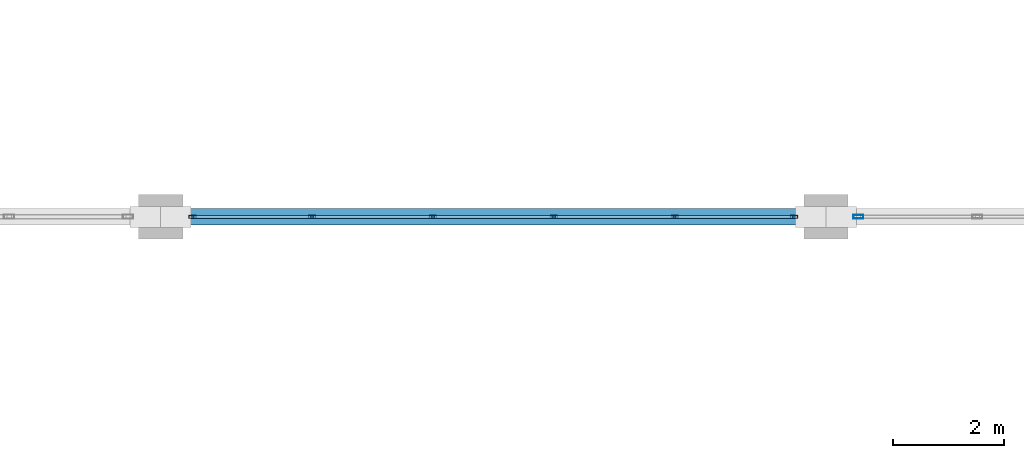
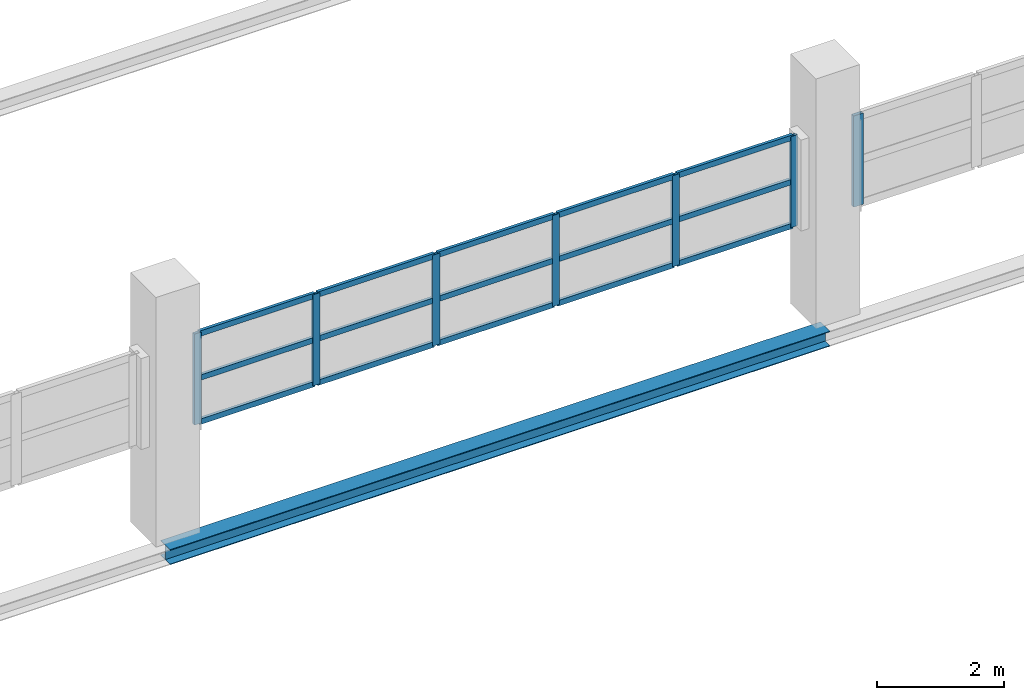
# One storey, part 53 of 86: 22 members, 1 beam, 2 elements without a shape of their own.
"""IFC4 building model written with IfcOpenShell, lengths in metres."""

from ifc_helpers import new_model, si_unit, direction, frame, origin, origin_2d, place, context, subcontext, project, spatial, hollow_rectangle, i_section, extrude, material, layer, layer_set, material_profile, profile_set, type_object, element, aggregate, save


model = new_model("IFC4")

# Units and contexts
model_context = context("Model", 3, precision=1e-05, world=origin(), true_north=direction((0.0, 1.0)))
body_context = subcontext(model_context, "Body", "Model", "MODEL_VIEW")
ifc_project = project(units=[si_unit("LENGTHUNIT", "METRE"), si_unit("AREAUNIT", "SQUARE_METRE"), si_unit("VOLUMEUNIT", "CUBIC_METRE"), si_unit("PLANEANGLEUNIT", "RADIAN"), si_unit("MASSUNIT", "GRAM", prefix="KILO")], contexts=[model_context])

# Site, building, storey
site_placement = place(None, origin())
site = spatial("IfcSite", under=ifc_project, at=site_placement, CompositionType="ELEMENT")
building_placement = place(site_placement, origin())
building = spatial("IfcBuilding", under=site, at=building_placement, Name="Zilviju Railside Exhibition Hall", CompositionType="ELEMENT")
storey_placement = place(building_placement, frame((0.0, 0.0, 12.60009765625)))
storey = spatial("IfcBuildingStorey", under=building, at=storey_placement, Name="L04", CompositionType="ELEMENT", Elevation=12.60009765625)

# Beam
ifc_material_1 = material(Name="Steel S355J2", Category="steel")
ifc_material_profile_1 = material_profile(ifc_material_1, i_section(OverallWidth=0.300048828125, OverallDepth=0.2900390625, WebThickness=0.008544921875, FlangeThickness=0.013916015625, at=origin_2d()), Name="HEA 300")
ifc_profile_set_1 = profile_set([ifc_material_profile_1], Name="Steel S355J2")
beam_type = type_object("IfcBeamType", Name="BM-HEA300", PredefinedType="SPANDREL", material=ifc_profile_set_1)
beam_placement = place(storey_placement, frame((96.0, 138.0, -0.485107421875), z_axis=(1.0, 0.0, 0.0), x_axis=(0.0, 1.0, 0.0)))
element("IfcBeam", 1, at=beam_placement, inside=storey, type_object=beam_type, Name="Primary Girder L04 Y=138.0 (96.0..108.0)", PredefinedType="SPANDREL", context=body_context, shape_type="SweptSolid", body=[
    extrude(i_section(OverallWidth=0.300048828125, OverallDepth=0.2900390625, WebThickness=0.008544921875, FlangeThickness=0.013916015625, at=origin_2d()), origin(), (0.0, 0.0, 1.0), 12.0),
])

# Curtain wall, members
ifc_material_2 = material(Name="Thermally broken aluminium-steel triple-glazed curtain wall", Category="steel")
ifc_layer_1 = layer(ifc_material_2, 0.179931640625)
ifc_layer_set_1 = layer_set([ifc_layer_1], Name="Thermally broken aluminium-steel triple-glazed curtain wall")
curtain_wall_type_1 = type_object("IfcCurtainWallType", Name="CW-BAY-02", PredefinedType="USERDEFINED", material=ifc_layer_set_1)
curtain_wall_1_placement = place(storey_placement, origin())
curtain_wall_1 = element("IfcCurtainWall", 2, at=curtain_wall_1_placement, inside=storey, type_object=curtain_wall_type_1, Name="North Hall Clerestory Curtain Wall L04 (96..108)", ObjectType="GLAZED CURTAIN WALL", PredefinedType="USERDEFINED")
ifc_material_3 = material(Name="Thermally broken anodized aluminium mullion", Category="aluminium")
ifc_material_profile_2 = material_profile(ifc_material_3, hollow_rectangle(XDim=0.054931640625, YDim=0.1298828125, WallThickness=0.0048828125, at=origin_2d()), Name="MULLION 130x55x5")
ifc_profile_set_2 = profile_set([ifc_material_profile_2], Name="Thermally broken anodized aluminium mullion")
member_type_1 = type_object("IfcMemberType", Name="CWM-55x130", PredefinedType="MULLION", material=ifc_profile_set_2)
member_1_placement = place(storey_placement, frame((96.577392578125, 138.0, 1.7998046875), z_axis=(0.0, 0.0, 1.0), x_axis=(0.0, 1.0, 0.0)))
member_1 = element("IfcMember", 3, at=member_1_placement, type_object=member_type_1, Name="CW-02 mullion 1", PredefinedType="MULLION", context=body_context, shape_type="SweptSolid", body=[
    extrude(hollow_rectangle(XDim=0.054931640625, YDim=0.1298828125, WallThickness=0.0048828125, at=origin_2d()), origin(), (0.0, 0.0, 1.0), 1.75),
])
member_2_placement = place(storey_placement, frame((98.72998046875, 138.0, 1.7998046875), z_axis=(0.0, 0.0, 1.0), x_axis=(0.0, 1.0, 0.0)))
member_2 = element("IfcMember", 4, at=member_2_placement, type_object=member_type_1, Name="CW-02 mullion 2", PredefinedType="MULLION", context=body_context, shape_type="SweptSolid", body=[
    extrude(hollow_rectangle(XDim=0.054931640625, YDim=0.1298828125, WallThickness=0.0048828125, at=origin_2d()), origin(), (0.0, 0.0, 1.0), 1.75),
])
member_3_placement = place(storey_placement, frame((100.909912109375, 138.0, 1.7998046875), z_axis=(0.0, 0.0, 1.0), x_axis=(0.0, 1.0, 0.0)))
member_3 = element("IfcMember", 5, at=member_3_placement, type_object=member_type_1, Name="CW-02 mullion 3", PredefinedType="MULLION", context=body_context, shape_type="SweptSolid", body=[
    extrude(hollow_rectangle(XDim=0.054931640625, YDim=0.1298828125, WallThickness=0.0048828125, at=origin_2d()), origin(), (0.0, 0.0, 1.0), 1.75),
])
member_4_placement = place(storey_placement, frame((103.090087890625, 138.0, 1.7998046875), z_axis=(0.0, 0.0, 1.0), x_axis=(0.0, 1.0, 0.0)))
member_4 = element("IfcMember", 6, at=member_4_placement, type_object=member_type_1, Name="CW-02 mullion 4", PredefinedType="MULLION", context=body_context, shape_type="SweptSolid", body=[
    extrude(hollow_rectangle(XDim=0.054931640625, YDim=0.1298828125, WallThickness=0.0048828125, at=origin_2d()), origin(), (0.0, 0.0, 1.0), 1.75),
])
member_5_placement = place(storey_placement, frame((105.27001953125, 138.0, 1.7998046875), z_axis=(0.0, 0.0, 1.0), x_axis=(0.0, 1.0, 0.0)))
member_5 = element("IfcMember", 7, at=member_5_placement, type_object=member_type_1, Name="CW-02 mullion 5", PredefinedType="MULLION", context=body_context, shape_type="SweptSolid", body=[
    extrude(hollow_rectangle(XDim=0.054931640625, YDim=0.1298828125, WallThickness=0.0048828125, at=origin_2d()), origin(), (0.0, 0.0, 1.0), 1.75),
])
member_6_placement = place(storey_placement, frame((107.422607421875, 138.0, 1.7998046875), z_axis=(0.0, 0.0, 1.0), x_axis=(0.0, 1.0, 0.0)))
member_6 = element("IfcMember", 8, at=member_6_placement, type_object=member_type_1, Name="CW-02 mullion 6", PredefinedType="MULLION", context=body_context, shape_type="SweptSolid", body=[
    extrude(hollow_rectangle(XDim=0.054931640625, YDim=0.1298828125, WallThickness=0.0048828125, at=origin_2d()), origin(), (0.0, 0.0, 1.0), 1.75),
])

# Curtain wall, member
ifc_layer_2 = layer(ifc_material_2, 0.179931640625)
ifc_layer_set_2 = layer_set([ifc_layer_2], Name="Thermally broken aluminium-steel triple-glazed curtain wall")
curtain_wall_type_2 = type_object("IfcCurtainWallType", Name="CW-BAY-03", PredefinedType="USERDEFINED", material=ifc_layer_set_2)
curtain_wall_2_placement = place(storey_placement, origin())
curtain_wall_2 = element("IfcCurtainWall", 9, at=curtain_wall_2_placement, inside=storey, type_object=curtain_wall_type_2, Name="North Hall Clerestory Curtain Wall L04 (108..120)", ObjectType="GLAZED CURTAIN WALL", PredefinedType="USERDEFINED")
ifc_material_profile_3 = material_profile(ifc_material_3, hollow_rectangle(XDim=0.070068359375, YDim=0.179931640625, WallThickness=0.0048828125, at=origin_2d()), Name="MULLION 180x70x5")
ifc_profile_set_3 = profile_set([ifc_material_profile_3], Name="Thermally broken anodized aluminium mullion")
member_type_2 = type_object("IfcMemberType", Name="CWM-70x180", PredefinedType="MULLION", material=ifc_profile_set_3)
member_7_placement = place(storey_placement, frame((108.5849609375, 138.0, 1.7998046875), z_axis=(0.0, 0.0, 1.0), x_axis=(0.0, 1.0, 0.0)))
member_7 = element("IfcMember", 10, at=member_7_placement, type_object=member_type_2, Name="CW-03 mullion 1", PredefinedType="MULLION", context=body_context, shape_type="SweptSolid", body=[
    extrude(hollow_rectangle(XDim=0.070068359375, YDim=0.179931640625, WallThickness=0.0048828125, at=origin_2d()), origin(), (0.0, 0.0, 1.0), 1.75),
])
aggregate(curtain_wall_2, [member_7])

# Member
ifc_material_4 = material(Name="Thermally broken anodized aluminium transom", Category="aluminium")
ifc_material_profile_4 = material_profile(ifc_material_4, hollow_rectangle(XDim=0.054931640625, YDim=0.10498046875, WallThickness=0.0048828125, at=origin_2d()), Name="TRANSOM 105x55x5")
ifc_profile_set_4 = profile_set([ifc_material_profile_4], Name="Thermally broken anodized aluminium transom")
member_type_3 = type_object("IfcMemberType", Name="CWT-55x105", PredefinedType="USERDEFINED", material=ifc_profile_set_4)
member_8_placement = place(storey_placement, frame((96.60498046875, 138.0, 1.827392578125), z_axis=(1.0, 0.0, 0.0), x_axis=(0.0, 1.0, 0.0)))
member_8 = element("IfcMember", 11, at=member_8_placement, type_object=member_type_3, Name="CW-02 transom 1.1", ObjectType="TRANSOM", PredefinedType="USERDEFINED", context=body_context, shape_type="SweptSolid", body=[
    extrude(hollow_rectangle(XDim=0.054931640625, YDim=0.10498046875, WallThickness=0.0048828125, at=origin_2d()), origin(), (0.0, 0.0, 1.0), 2.097412109375),
])

member_9_placement = place(storey_placement, frame((96.60498046875, 138.0, 2.6748046875), z_axis=(1.0, 0.0, 0.0), x_axis=(0.0, 1.0, 0.0)))
member_9 = element("IfcMember", 12, at=member_9_placement, type_object=member_type_3, Name="CW-02 transom 1.2", ObjectType="TRANSOM", PredefinedType="USERDEFINED", context=body_context, shape_type="SweptSolid", body=[
    extrude(hollow_rectangle(XDim=0.054931640625, YDim=0.10498046875, WallThickness=0.0048828125, at=origin_2d()), origin(), (0.0, 0.0, 1.0), 2.097412109375),
])

member_10_placement = place(storey_placement, frame((96.60498046875, 138.0, 3.5224609375), z_axis=(1.0, 0.0, 0.0), x_axis=(0.0, 1.0, 0.0)))
member_10 = element("IfcMember", 13, at=member_10_placement, type_object=member_type_3, Name="CW-02 transom 1.3", ObjectType="TRANSOM", PredefinedType="USERDEFINED", context=body_context, shape_type="SweptSolid", body=[
    extrude(hollow_rectangle(XDim=0.054931640625, YDim=0.10498046875, WallThickness=0.0048828125, at=origin_2d()), origin(), (0.0, 0.0, 1.0), 2.097412109375),
])

member_11_placement = place(storey_placement, frame((98.757568359375, 138.0, 1.827392578125), z_axis=(1.0, 0.0, 0.0), x_axis=(0.0, 1.0, 0.0)))
member_11 = element("IfcMember", 14, at=member_11_placement, type_object=member_type_3, Name="CW-02 transom 2.1", ObjectType="TRANSOM", PredefinedType="USERDEFINED", context=body_context, shape_type="SweptSolid", body=[
    extrude(hollow_rectangle(XDim=0.054931640625, YDim=0.10498046875, WallThickness=0.0048828125, at=origin_2d()), origin(), (0.0, 0.0, 1.0), 2.125),
])

member_12_placement = place(storey_placement, frame((98.757568359375, 138.0, 2.6748046875), z_axis=(1.0, 0.0, 0.0), x_axis=(0.0, 1.0, 0.0)))
member_12 = element("IfcMember", 15, at=member_12_placement, type_object=member_type_3, Name="CW-02 transom 2.2", ObjectType="TRANSOM", PredefinedType="USERDEFINED", context=body_context, shape_type="SweptSolid", body=[
    extrude(hollow_rectangle(XDim=0.054931640625, YDim=0.10498046875, WallThickness=0.0048828125, at=origin_2d()), origin(), (0.0, 0.0, 1.0), 2.125),
])

member_13_placement = place(storey_placement, frame((98.757568359375, 138.0, 3.5224609375), z_axis=(1.0, 0.0, 0.0), x_axis=(0.0, 1.0, 0.0)))
member_13 = element("IfcMember", 16, at=member_13_placement, type_object=member_type_3, Name="CW-02 transom 2.3", ObjectType="TRANSOM", PredefinedType="USERDEFINED", context=body_context, shape_type="SweptSolid", body=[
    extrude(hollow_rectangle(XDim=0.054931640625, YDim=0.10498046875, WallThickness=0.0048828125, at=origin_2d()), origin(), (0.0, 0.0, 1.0), 2.125),
])

member_14_placement = place(storey_placement, frame((100.9375, 138.0, 1.827392578125), z_axis=(1.0, 0.0, 0.0), x_axis=(0.0, 1.0, 0.0)))
member_14 = element("IfcMember", 17, at=member_14_placement, type_object=member_type_3, Name="CW-02 transom 3.1", ObjectType="TRANSOM", PredefinedType="USERDEFINED", context=body_context, shape_type="SweptSolid", body=[
    extrude(hollow_rectangle(XDim=0.054931640625, YDim=0.10498046875, WallThickness=0.0048828125, at=origin_2d()), origin(), (0.0, 0.0, 1.0), 2.125),
])

member_15_placement = place(storey_placement, frame((100.9375, 138.0, 2.6748046875), z_axis=(1.0, 0.0, 0.0), x_axis=(0.0, 1.0, 0.0)))
member_15 = element("IfcMember", 18, at=member_15_placement, type_object=member_type_3, Name="CW-02 transom 3.2", ObjectType="TRANSOM", PredefinedType="USERDEFINED", context=body_context, shape_type="SweptSolid", body=[
    extrude(hollow_rectangle(XDim=0.054931640625, YDim=0.10498046875, WallThickness=0.0048828125, at=origin_2d()), origin(), (0.0, 0.0, 1.0), 2.125),
])

member_16_placement = place(storey_placement, frame((100.9375, 138.0, 3.5224609375), z_axis=(1.0, 0.0, 0.0), x_axis=(0.0, 1.0, 0.0)))
member_16 = element("IfcMember", 19, at=member_16_placement, type_object=member_type_3, Name="CW-02 transom 3.3", ObjectType="TRANSOM", PredefinedType="USERDEFINED", context=body_context, shape_type="SweptSolid", body=[
    extrude(hollow_rectangle(XDim=0.054931640625, YDim=0.10498046875, WallThickness=0.0048828125, at=origin_2d()), origin(), (0.0, 0.0, 1.0), 2.125),
])

member_17_placement = place(storey_placement, frame((103.117431640625, 138.0, 1.827392578125), z_axis=(1.0, 0.0, 0.0), x_axis=(0.0, 1.0, 0.0)))
member_17 = element("IfcMember", 20, at=member_17_placement, type_object=member_type_3, Name="CW-02 transom 4.1", ObjectType="TRANSOM", PredefinedType="USERDEFINED", context=body_context, shape_type="SweptSolid", body=[
    extrude(hollow_rectangle(XDim=0.054931640625, YDim=0.10498046875, WallThickness=0.0048828125, at=origin_2d()), origin(), (0.0, 0.0, 1.0), 2.125),
])

member_18_placement = place(storey_placement, frame((103.117431640625, 138.0, 2.6748046875), z_axis=(1.0, 0.0, 0.0), x_axis=(0.0, 1.0, 0.0)))
member_18 = element("IfcMember", 21, at=member_18_placement, type_object=member_type_3, Name="CW-02 transom 4.2", ObjectType="TRANSOM", PredefinedType="USERDEFINED", context=body_context, shape_type="SweptSolid", body=[
    extrude(hollow_rectangle(XDim=0.054931640625, YDim=0.10498046875, WallThickness=0.0048828125, at=origin_2d()), origin(), (0.0, 0.0, 1.0), 2.125),
])

member_19_placement = place(storey_placement, frame((103.117431640625, 138.0, 3.5224609375), z_axis=(1.0, 0.0, 0.0), x_axis=(0.0, 1.0, 0.0)))
member_19 = element("IfcMember", 22, at=member_19_placement, type_object=member_type_3, Name="CW-02 transom 4.3", ObjectType="TRANSOM", PredefinedType="USERDEFINED", context=body_context, shape_type="SweptSolid", body=[
    extrude(hollow_rectangle(XDim=0.054931640625, YDim=0.10498046875, WallThickness=0.0048828125, at=origin_2d()), origin(), (0.0, 0.0, 1.0), 2.125),
])

member_20_placement = place(storey_placement, frame((105.297607421875, 138.0, 1.827392578125), z_axis=(1.0, 0.0, 0.0), x_axis=(0.0, 1.0, 0.0)))
member_20 = element("IfcMember", 23, at=member_20_placement, type_object=member_type_3, Name="CW-02 transom 5.1", ObjectType="TRANSOM", PredefinedType="USERDEFINED", context=body_context, shape_type="SweptSolid", body=[
    extrude(hollow_rectangle(XDim=0.054931640625, YDim=0.10498046875, WallThickness=0.0048828125, at=origin_2d()), origin(), (0.0, 0.0, 1.0), 2.097412109375),
])

member_21_placement = place(storey_placement, frame((105.297607421875, 138.0, 2.6748046875), z_axis=(1.0, 0.0, 0.0), x_axis=(0.0, 1.0, 0.0)))
member_21 = element("IfcMember", 24, at=member_21_placement, type_object=member_type_3, Name="CW-02 transom 5.2", ObjectType="TRANSOM", PredefinedType="USERDEFINED", context=body_context, shape_type="SweptSolid", body=[
    extrude(hollow_rectangle(XDim=0.054931640625, YDim=0.10498046875, WallThickness=0.0048828125, at=origin_2d()), origin(), (0.0, 0.0, 1.0), 2.097412109375),
])

member_22_placement = place(storey_placement, frame((105.297607421875, 138.0, 3.5224609375), z_axis=(1.0, 0.0, 0.0), x_axis=(0.0, 1.0, 0.0)))
member_22 = element("IfcMember", 25, at=member_22_placement, type_object=member_type_3, Name="CW-02 transom 5.3", ObjectType="TRANSOM", PredefinedType="USERDEFINED", context=body_context, shape_type="SweptSolid", body=[
    extrude(hollow_rectangle(XDim=0.054931640625, YDim=0.10498046875, WallThickness=0.0048828125, at=origin_2d()), origin(), (0.0, 0.0, 1.0), 2.097412109375),
])

aggregate(curtain_wall_1, [member_1, member_2, member_3, member_4, member_5, member_6, member_8, member_9, member_10, member_11, member_12, member_13, member_14, member_15, member_16, member_17, member_18, member_19, member_20, member_21, member_22])

save(model, "model.ifc")
